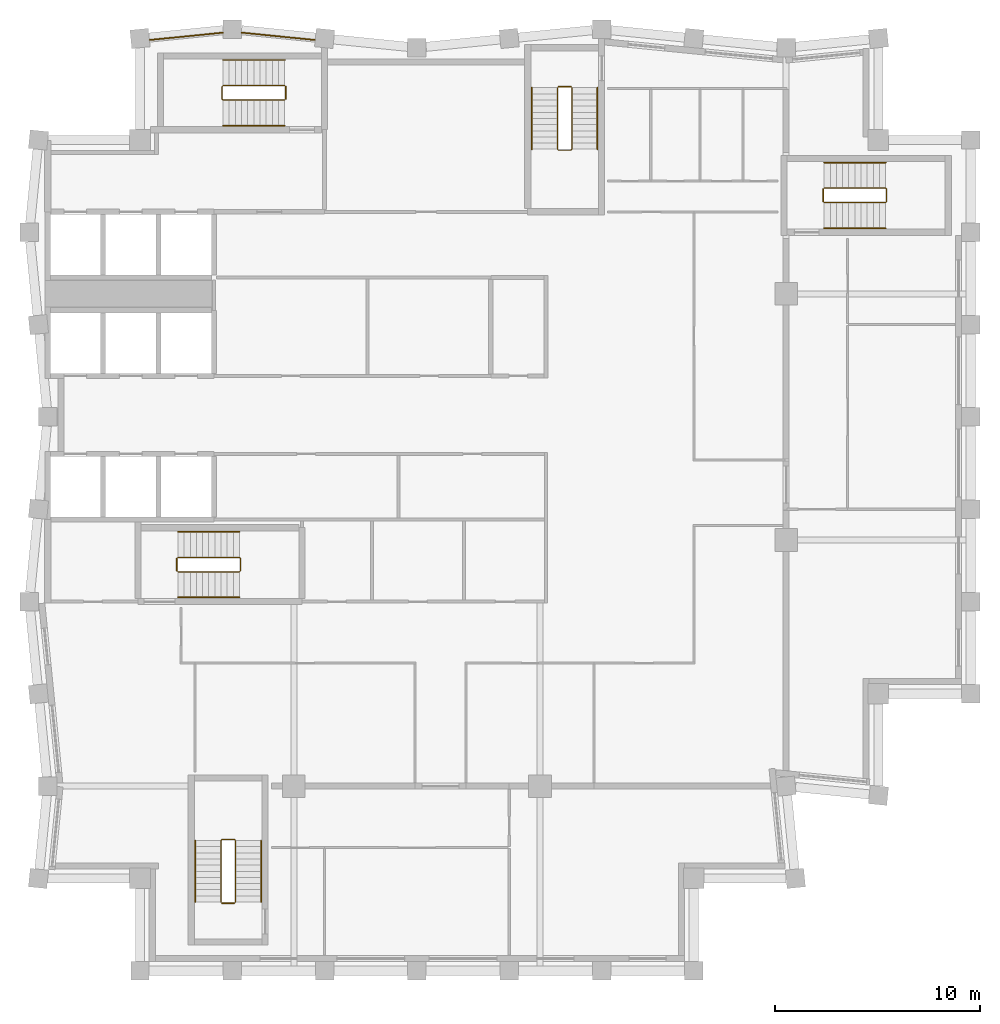
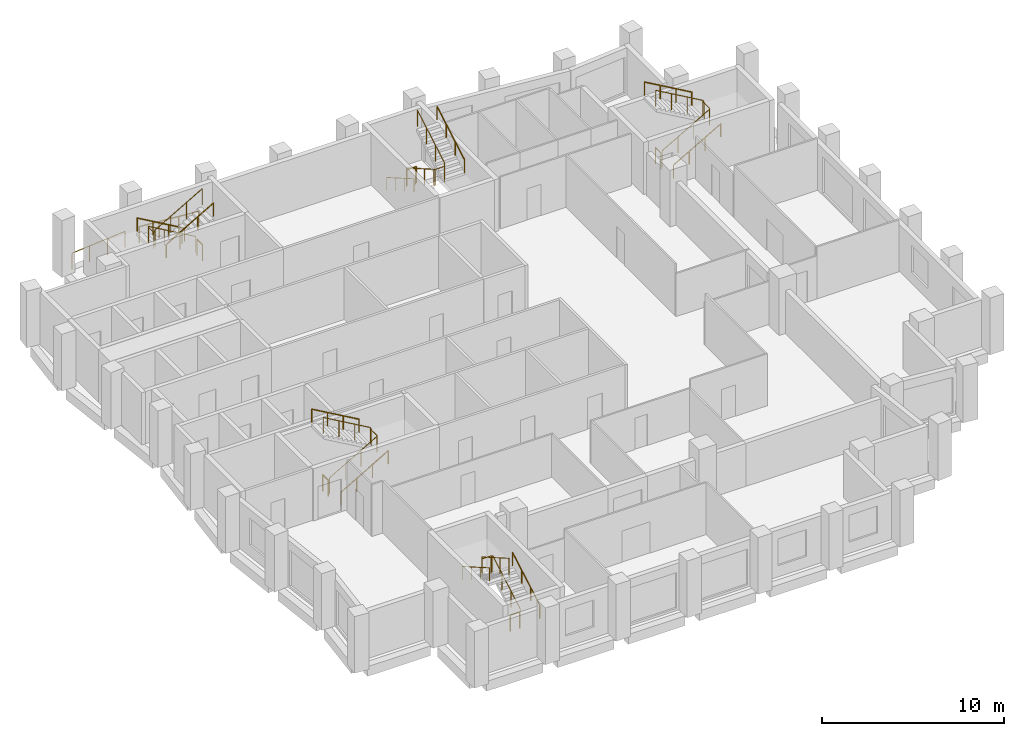
# One storey, part 7 of 7: 22 railings.
"""IFC4 building model written with IfcOpenShell, lengths in metres."""

import ifcopenshell
import ifcopenshell.guid

model = None  # the IFC model being written
_history = None  # IfcOwnerHistory: only IFC2X3 demands one
_inside = {}  # id of a spatial element -> (the spatial element, [elements in it])
_under = {}  # id of a project, library or spatial element -> (it, [spatial elements below it])
_declared = {}  # id of a project -> (the project, [libraries it declares])
_typed = {}  # id of a type object -> (the type object, [elements of that type])
_made_of = {}  # id of a material, layer set ... -> (it, [elements and type objects made of it])


def new_model(schema):
    """Start an empty IFC model of exactly this schema.

    Asked for "IFC4X3", IfcOpenShell would pick the latest addendum, in which some entities
    have other attributes; the version numbers below select the first issue.
    IFC2X3 requires an IfcOwnerHistory on every rooted entity: one is made here for all.
    """
    global model, _history
    if schema == "IFC4X3":
        model = ifcopenshell.file(schema_version=(4, 3, 0, 0))
    else:
        model = ifcopenshell.file(schema=schema)
    _inside.clear()
    _under.clear()
    _declared.clear()
    _typed.clear()
    _made_of.clear()
    _history = None
    if model.schema == "IFC2X3":
        org = make("IfcOrganization", Name="unknown")
        user = make(
            "IfcPersonAndOrganization",
            ThePerson=make("IfcPerson", FamilyName="unknown"),
            TheOrganization=org,
        )
        app = make(
            "IfcApplication",
            ApplicationDeveloper=org,
            Version="unknown",
            ApplicationFullName="unknown",
            ApplicationIdentifier="unknown",
        )
        _history = make(
            "IfcOwnerHistory",
            OwningUser=user,
            OwningApplication=app,
            ChangeAction="ADDED",
            CreationDate=0,
        )
    return model


def make(cls, **values):
    """One entity of the class cls with the attributes given. An attribute that is None is left unset."""
    return model.create_entity(
        cls, **{name: value for name, value in values.items() if value is not None}
    )


def rooted(cls, **values):
    """An entity with a GlobalId (a new one), such as an element, a storey or a relation."""
    return make(cls, GlobalId=ifcopenshell.guid.new(), OwnerHistory=_history, **values)


def si_unit(unit_type, name, prefix=None):
    """IfcSIUnit, for example si_unit("LENGTHUNIT", "METRE", prefix="MILLI")."""
    return make("IfcSIUnit", UnitType=unit_type, Prefix=prefix, Name=name)


def assignment(units):
    """IfcUnitAssignment: the units of a project."""
    return None if units is None else make("IfcUnitAssignment", Units=units)


def point(xyz):
    """IfcCartesianPoint."""
    return None if xyz is None else make("IfcCartesianPoint", Coordinates=xyz)


def direction(xyz):
    """IfcDirection."""
    return None if xyz is None else make("IfcDirection", DirectionRatios=xyz)


def frame(location, z_axis=None, x_axis=None):
    """IfcAxis2Placement3D, a coordinate frame: its origin and axes. An axis left out is left unset."""
    return make(
        "IfcAxis2Placement3D",
        Location=point(location),
        Axis=direction(z_axis),
        RefDirection=direction(x_axis),
    )


def frame_2d(location, x_axis=None):
    """IfcAxis2Placement2D, a coordinate frame in the plane: its origin and x axis."""
    return make(
        "IfcAxis2Placement2D", Location=point(location), RefDirection=direction(x_axis)
    )


def origin():
    """The frame at (0, 0, 0) with its axes left unset."""
    return frame((0.0, 0.0, 0.0))


def origin_2d():
    """The frame at (0, 0) in the plane with its x axis left unset."""
    return frame_2d((0.0, 0.0))


def place(relative_to, where):
    """IfcLocalPlacement: puts the frame where relative to a parent placement (None: the world)."""
    return make(
        "IfcLocalPlacement", PlacementRelTo=relative_to, RelativePlacement=where
    )


def context(
    kind, dimensions, precision=None, world=None, true_north=None, identifier=None
):
    """IfcGeometricRepresentationContext, for example the 3D "Model" context."""
    return make(
        "IfcGeometricRepresentationContext",
        ContextIdentifier=identifier,
        ContextType=kind,
        CoordinateSpaceDimension=dimensions,
        Precision=precision,
        WorldCoordinateSystem=world,
        TrueNorth=true_north,
    )


def subcontext(parent, identifier, kind, view, scale=None):
    """IfcGeometricRepresentationSubContext, for example "Body" below "Model"."""
    return make(
        "IfcGeometricRepresentationSubContext",
        ContextIdentifier=identifier,
        ContextType=kind,
        ParentContext=parent,
        TargetScale=scale,
        TargetView=view,
    )


def project(units=None, contexts=None):
    """IfcProject with its units and contexts."""
    return rooted(
        "IfcProject",
        Name="project",
        RepresentationContexts=contexts,
        UnitsInContext=assignment(units),
    )


def spatial(cls, under=None, at=None, **own):
    """A site, building, storey or space (cls), placed at a placement, below another one or the project."""
    s = rooted(cls, ObjectPlacement=at, **own)
    if under is not None:
        _under.setdefault(under.id(), (under, []))[1].append(s)
    return s


def profile(cls, at=None, kind="AREA", **sizes):
    """A parametric profile (cls). Its sizes go by their IFC names, for example OverallWidth=200.0."""
    return make(cls, ProfileType=kind, Position=at, **sizes)


def circle(**sizes):
    """IfcCircleProfileDef."""
    return profile("IfcCircleProfileDef", **sizes)


def extrude(swept, where, along, depth):
    """IfcExtrudedAreaSolid: the profile swept, set in the frame where, extruded along a direction by depth."""
    return make(
        "IfcExtrudedAreaSolid",
        SweptArea=swept,
        Position=where,
        ExtrudedDirection=direction(along),
        Depth=depth,
    )


def shape(context_of_items, identifier, shape_type, items):
    """IfcShapeRepresentation: the items that make up one representation, for example the "Body"."""
    return make(
        "IfcShapeRepresentation",
        ContextOfItems=context_of_items,
        RepresentationIdentifier=identifier,
        RepresentationType=shape_type,
        Items=items,
    )


def material(Name=None, Category=None):
    """IfcMaterial."""
    return make("IfcMaterial", Name=Name, Category=Category)


def made_of(thing, what):
    """Note that an element or type object is made of a material, layer set ...; save() writes the relation."""
    if what is not None:
        _made_of.setdefault(what.id(), (what, []))[1].append(thing)
    return thing


def type_object(cls, material=None, **own):
    """A type object (cls), such as IfcWallType, which elements share."""
    return made_of(rooted(cls, **own), material)


def element(
    cls,
    number,
    at=None,
    inside=None,
    cuts=None,
    type_object=None,
    material=None,
    context=None,
    identifier="Body",
    shape_type=None,
    held_by="IfcProductDefinitionShape",
    body=None,
    shapes=None,
    **own,
):
    """One element of the class cls, such as IfcWall. Its Tag is "e" and its number.

    at: its placement. inside: the storey or other place that contains it. cuts: it is an
    opening in that element (IfcRelVoidsElement). A single representation is given by context,
    identifier, shape_type and body (its items); several are given by shapes. held_by: the class
    of the entity that holds the representations. save() writes the other relations.
    """
    e = rooted(cls, Tag="e%d" % number, ObjectPlacement=at, **own)
    if body is not None:
        shapes = [shape(context, identifier, shape_type, body)]
    if shapes is not None:
        e.Representation = make(held_by, Representations=shapes)
    if inside is not None:
        _inside.setdefault(inside.id(), (inside, []))[1].append(e)
    if cuts is not None:
        rooted(
            "IfcRelVoidsElement", RelatingBuildingElement=cuts, RelatedOpeningElement=e
        )
    if type_object is not None:
        _typed.setdefault(type_object.id(), (type_object, []))[1].append(e)
    return made_of(e, material)


def aggregate(whole, parts):
    """IfcRelAggregates: a whole, such as a stair, and the parts it consists of."""
    return rooted("IfcRelAggregates", RelatingObject=whole, RelatedObjects=parts)


def save(model, path):
    """Write the relations noted so far, then the file.

    IfcRelAggregates (storeys below a building ...), IfcRelContainedInSpatialStructure (elements
    in a storey), IfcRelDefinesByType, IfcRelAssociatesMaterial and IfcRelDeclares: one each for
    every whole, place, type object, material and project.
    """
    for whole, parts in _under.values():
        aggregate(whole, parts)
    for where, things in _inside.values():
        rooted(
            "IfcRelContainedInSpatialStructure",
            RelatedElements=things,
            RelatingStructure=where,
        )
    for kind, things in _typed.values():
        rooted("IfcRelDefinesByType", RelatedObjects=things, RelatingType=kind)
    for what, things in _made_of.values():
        rooted("IfcRelAssociatesMaterial", RelatedObjects=things, RelatingMaterial=what)
    for by, libraries in _declared.values():
        rooted("IfcRelDeclares", RelatingContext=by, RelatedDefinitions=libraries)
    model.write(path)


model = new_model("IFC4")

# Units and contexts
model_context = context("Model", 3, precision=1e-05, world=origin(), true_north=direction((0.0, 1.0)))
body_context = subcontext(model_context, "Body", "Model", "MODEL_VIEW")
ifc_project = project(units=[si_unit("LENGTHUNIT", "METRE"), si_unit("AREAUNIT", "SQUARE_METRE"), si_unit("VOLUMEUNIT", "CUBIC_METRE"), si_unit("PLANEANGLEUNIT", "RADIAN"), si_unit("MASSUNIT", "GRAM", prefix="KILO")], contexts=[model_context])

# Site, building, storey
site_placement = place(None, origin())
site = spatial("IfcSite", under=ifc_project, at=site_placement, CompositionType="ELEMENT")
building_placement = place(site_placement, origin())
building = spatial("IfcBuilding", under=site, at=building_placement, Name="Brondeck Convention Tower", CompositionType="ELEMENT")
storey_placement = place(building_placement, frame((0.0, 0.0, 263.800048828125)))
storey = spatial("IfcBuildingStorey", under=building, at=storey_placement, Name="L65", CompositionType="ELEMENT", Elevation=263.800048828125)

# Railings
ifc_material_1 = material(Name="Steel S355, bronze painted", Category="steel")
railing_type_1 = type_object("IfcRailingType", Name="Guard, bronze steel rail and posts", PredefinedType="GUARDRAIL", material=ifc_material_1)
railing_1_placement = place(storey_placement, frame((4.9794921875, 63.37744140625, 0.0)))
element("IfcRailing", 1, at=railing_1_placement, inside=storey, type_object=railing_type_1, Name="ENV-RL-L65-REAR1", PredefinedType="GUARDRAIL", context=body_context, shape_type="SweptSolid", body=[
    extrude(circle(Radius=0.02490234375, at=origin_2d()), frame((0.0, 0.0, 1.0751953125), z_axis=(0.995037864926, 0.099496971632, 0.0), x_axis=(-0.099496971632, 0.995037864926, 0.0)), (0.0, 0.0, 1.0), 3.58251953125),
    extrude(circle(Radius=0.02490234375, at=origin_2d()), origin(), (0.0, 0.0, 1.0), 1.050048828125),
    extrude(circle(Radius=0.02490234375, at=origin_2d()), frame((1.188232421875, 0.118896484375, 0.0)), (0.0, 0.0, 1.0), 1.050048828125),
    extrude(circle(Radius=0.02490234375, at=origin_2d()), frame((2.37646484375, 0.237548828125, 0.0)), (0.0, 0.0, 1.0), 1.050048828125),
    extrude(circle(Radius=0.02490234375, at=origin_2d()), frame((3.564697265625, 0.3564453125, 0.0)), (0.0, 0.0, 1.0), 1.050048828125),
])
railing_2_placement = place(storey_placement, frame((9.455810546875, 63.73388671875, 0.0)))
element("IfcRailing", 2, at=railing_2_placement, inside=storey, type_object=railing_type_1, Name="ENV-RL-L65-REAR2", PredefinedType="GUARDRAIL", context=body_context, shape_type="SweptSolid", body=[
    extrude(circle(Radius=0.02490234375, at=origin_2d()), frame((0.0, 0.0, 1.0751953125), z_axis=(0.995037864926, -0.099496971632, 0.0), x_axis=(0.099496971632, 0.995037864926, 0.0)), (0.0, 0.0, 1.0), 3.58251953125),
    extrude(circle(Radius=0.02490234375, at=origin_2d()), origin(), (0.0, 0.0, 1.0), 1.050048828125),
    extrude(circle(Radius=0.02490234375, at=origin_2d()), frame((1.188232421875, -0.118896484375, 0.0)), (0.0, 0.0, 1.0), 1.050048828125),
    extrude(circle(Radius=0.02490234375, at=origin_2d()), frame((2.37646484375, -0.237548828125, 0.0)), (0.0, 0.0, 1.0), 1.050048828125),
    extrude(circle(Radius=0.02490234375, at=origin_2d()), frame((3.564697265625, -0.3564453125, 0.0)), (0.0, 0.0, 1.0), 1.050048828125),
])
ifc_material_2 = material(Name="Steel S355", Category="steel")
railing_type_2 = type_object("IfcRailingType", Name="Stair guard 1100", PredefinedType="GUARDRAIL", material=ifc_material_2)
railing_3_placement = place(storey_placement, frame((6.35009765625, 37.449951171875, 0.172607421875)))
element("IfcRailing", 3, at=railing_3_placement, inside=storey, type_object=railing_type_2, Name="L65 ST-1 stair guard 1", PredefinedType="GUARDRAIL", context=body_context, shape_type="SweptSolid", body=[
    extrude(circle(Radius=0.02392578125, at=origin_2d()), frame((0.0, 0.0, 1.076171875), z_axis=(0.866619684472, 0.0, 0.498969260062), x_axis=(0.0, 1.0, 0.0)), (0.0, 0.0, 1.0), 3.461669921875),
    extrude(circle(Radius=0.02392578125, at=origin_2d()), frame((3.0, 0.0, 2.80322265625), z_axis=(0.705375805398, 0.708833529934, 0.0), x_axis=(-0.708833529934, 0.705375805398, 0.0)), (0.0, 0.0, 1.0), 0.070556640625),
    extrude(circle(Radius=0.02392578125, at=origin_2d()), frame((3.0498046875, 0.050048828125, 2.80322265625), z_axis=(0.0, 1.0, 0.0), x_axis=(-1.0, 0.0, 0.0)), (0.0, 0.0, 1.0), 0.60009765625),
    extrude(circle(Radius=0.02392578125, at=origin_2d()), frame((3.0498046875, 0.650146484375, 2.80322265625), z_axis=(-0.266832911964, 0.266832911964, 0.926067165051), x_axis=(-0.707106781187, -0.707106781187, 0.0)), (0.0, 0.0, 1.0), 0.186767578125),
    extrude(circle(Radius=0.02392578125, at=origin_2d()), frame((3.0, 0.699951171875, 2.97607421875), z_axis=(-0.866619684472, 0.0, 0.498969260062), x_axis=(0.0, -1.0, 0.0)), (0.0, 0.0, 1.0), 3.461669921875),
    extrude(circle(Radius=0.02099609375, at=origin_2d()), origin(), (0.0, 0.0, 1.0), 1.052001953125),
    extrude(circle(Radius=0.02099609375, at=origin_2d()), frame((1.0, 0.0, 0.57568359375)), (0.0, 0.0, 1.0), 1.052001953125),
    extrude(circle(Radius=0.02099609375, at=origin_2d()), frame((2.0, 0.0, 1.151611328125)), (0.0, 0.0, 1.0), 1.052001953125),
    extrude(circle(Radius=0.02099609375, at=origin_2d()), frame((3.0, 0.0, 1.727294921875)), (0.0, 0.0, 1.0), 1.052001953125),
    extrude(circle(Radius=0.02099609375, at=origin_2d()), frame((3.0498046875, 0.050048828125, 1.727294921875)), (0.0, 0.0, 1.0), 1.052001953125),
    extrude(circle(Radius=0.02099609375, at=origin_2d()), frame((3.0498046875, 0.650146484375, 1.727294921875)), (0.0, 0.0, 1.0), 1.052001953125),
    extrude(circle(Radius=0.02099609375, at=origin_2d()), frame((3.0, 0.699951171875, 1.900146484375)), (0.0, 0.0, 1.0), 1.052001953125),
    extrude(circle(Radius=0.02099609375, at=origin_2d()), frame((2.0, 0.699951171875, 2.475830078125)), (0.0, 0.0, 1.0), 1.052001953125),
    extrude(circle(Radius=0.02099609375, at=origin_2d()), frame((1.0, 0.699951171875, 3.0517578125)), (0.0, 0.0, 1.0), 1.052001953125),
    extrude(circle(Radius=0.02099609375, at=origin_2d()), frame((0.0, 0.699951171875, 3.62744140625)), (0.0, 0.0, 1.0), 1.052001953125),
])
railing_4_placement = place(storey_placement, frame((6.300048828125, 37.5, 0.0)))
element("IfcRailing", 4, at=railing_4_placement, inside=storey, type_object=railing_type_2, Name="L65 ST-1 stair guard 2", PredefinedType="GUARDRAIL", context=body_context, shape_type="SweptSolid", body=[
    extrude(circle(Radius=0.02392578125, at=origin_2d()), frame((0.0, 0.0, 1.076171875), z_axis=(0.0, 1.0, 0.0), x_axis=(-1.0, 0.0, 0.0)), (0.0, 0.0, 1.0), 0.60009765625),
    extrude(circle(Radius=0.02099609375, at=origin_2d()), origin(), (0.0, 0.0, 1.0), 1.052001953125),
    extrude(circle(Radius=0.02099609375, at=origin_2d()), frame((0.0, 0.60009765625, 0.0)), (0.0, 0.0, 1.0), 1.052001953125),
])
railing_5_placement = place(storey_placement, frame((24.85009765625, 61.050048828125, 0.172607421875)))
element("IfcRailing", 5, at=railing_5_placement, inside=storey, type_object=railing_type_2, Name="L65 ST-2 stair guard 1", PredefinedType="GUARDRAIL", context=body_context, shape_type="SweptSolid", body=[
    extrude(circle(Radius=0.02392578125, at=origin_2d()), frame((0.0, 0.0, 1.076171875), z_axis=(0.0, -0.866619684472, 0.498969260062), x_axis=(1.0, 0.0, 0.0)), (0.0, 0.0, 1.0), 3.461669921875),
    extrude(circle(Radius=0.02392578125, at=origin_2d()), frame((0.0, -3.0, 2.80322265625), z_axis=(0.705375805398, -0.708833529934, 0.0), x_axis=(0.708833529934, 0.705375805398, 0.0)), (0.0, 0.0, 1.0), 0.070556640625),
    extrude(circle(Radius=0.02392578125, at=origin_2d()), frame((0.0498046875, -3.050048828125, 2.80322265625), z_axis=(1.0, 0.0, 0.0), x_axis=(0.0, 1.0, 0.0)), (0.0, 0.0, 1.0), 0.60009765625),
    extrude(circle(Radius=0.02392578125, at=origin_2d()), frame((0.64990234375, -3.050048828125, 2.80322265625), z_axis=(0.267953482034, 0.267953482034, 0.925419830635), x_axis=(-0.707106781187, 0.707106781187, 0.0)), (0.0, 0.0, 1.0), 0.186767578125),
    extrude(circle(Radius=0.02392578125, at=origin_2d()), frame((0.699951171875, -3.0, 2.97607421875), z_axis=(0.0, 0.866619684472, 0.498969260062), x_axis=(-1.0, 0.0, 0.0)), (0.0, 0.0, 1.0), 3.461669921875),
    extrude(circle(Radius=0.02099609375, at=origin_2d()), origin(), (0.0, 0.0, 1.0), 1.052001953125),
    extrude(circle(Radius=0.02099609375, at=origin_2d()), frame((0.0, -1.0, 0.57568359375)), (0.0, 0.0, 1.0), 1.052001953125),
    extrude(circle(Radius=0.02099609375, at=origin_2d()), frame((0.0, -2.0, 1.151611328125)), (0.0, 0.0, 1.0), 1.052001953125),
    extrude(circle(Radius=0.02099609375, at=origin_2d()), frame((0.0, -3.0, 1.727294921875)), (0.0, 0.0, 1.0), 1.052001953125),
    extrude(circle(Radius=0.02099609375, at=origin_2d()), frame((0.0498046875, -3.050048828125, 1.727294921875)), (0.0, 0.0, 1.0), 1.052001953125),
    extrude(circle(Radius=0.02099609375, at=origin_2d()), frame((0.64990234375, -3.050048828125, 1.727294921875)), (0.0, 0.0, 1.0), 1.052001953125),
    extrude(circle(Radius=0.02099609375, at=origin_2d()), frame((0.699951171875, -3.0, 1.900146484375)), (0.0, 0.0, 1.0), 1.052001953125),
    extrude(circle(Radius=0.02099609375, at=origin_2d()), frame((0.699951171875, -2.0, 2.475830078125)), (0.0, 0.0, 1.0), 1.052001953125),
    extrude(circle(Radius=0.02099609375, at=origin_2d()), frame((0.699951171875, -1.0, 3.0517578125)), (0.0, 0.0, 1.0), 1.052001953125),
    extrude(circle(Radius=0.02099609375, at=origin_2d()), frame((0.699951171875, 0.0, 3.62744140625)), (0.0, 0.0, 1.0), 1.052001953125),
])
railing_6_placement = place(storey_placement, frame((24.89990234375, 61.10009765625, 0.0)))
element("IfcRailing", 6, at=railing_6_placement, inside=storey, type_object=railing_type_2, Name="L65 ST-2 stair guard 2", PredefinedType="GUARDRAIL", context=body_context, shape_type="SweptSolid", body=[
    extrude(circle(Radius=0.02392578125, at=origin_2d()), frame((0.0, 0.0, 1.076171875), z_axis=(1.0, 0.0, 0.0), x_axis=(0.0, 1.0, 0.0)), (0.0, 0.0, 1.0), 0.60009765625),
    extrude(circle(Radius=0.02099609375, at=origin_2d()), origin(), (0.0, 0.0, 1.0), 1.052001953125),
    extrude(circle(Radius=0.02099609375, at=origin_2d()), frame((0.60009765625, 0.0, 0.0)), (0.0, 0.0, 1.0), 1.052001953125),
])
railing_7_placement = place(storey_placement, frame((11.550048828125, 61.14990234375, 0.172607421875)))
element("IfcRailing", 7, at=railing_7_placement, inside=storey, type_object=railing_type_2, Name="L65 ST-3 stair guard 1", PredefinedType="GUARDRAIL", context=body_context, shape_type="SweptSolid", body=[
    extrude(circle(Radius=0.02392578125, at=origin_2d()), frame((0.0, 0.0, 1.076171875), z_axis=(-0.866619684472, 0.0, 0.498969260062), x_axis=(0.0, -1.0, 0.0)), (0.0, 0.0, 1.0), 3.461669921875),
    extrude(circle(Radius=0.02392578125, at=origin_2d()), frame((-3.0, 0.0, 2.80322265625), z_axis=(-0.708833529934, -0.705375805398, 0.0), x_axis=(0.705375805398, -0.708833529934, 0.0)), (0.0, 0.0, 1.0), 0.070556640625),
    extrude(circle(Radius=0.02392578125, at=origin_2d()), frame((-3.050048828125, -0.0498046875, 2.80322265625), z_axis=(0.0, -1.0, 0.0), x_axis=(1.0, 0.0, 0.0)), (0.0, 0.0, 1.0), 0.60009765625),
    extrude(circle(Radius=0.02392578125, at=origin_2d()), frame((-3.050048828125, -0.64990234375, 2.80322265625), z_axis=(0.267953482034, -0.267953482034, 0.925419830635), x_axis=(0.707106781187, 0.707106781187, 0.0)), (0.0, 0.0, 1.0), 0.186767578125),
    extrude(circle(Radius=0.02392578125, at=origin_2d()), frame((-3.0, -0.699951171875, 2.97607421875), z_axis=(0.866619684472, 0.0, 0.498969260062), x_axis=(0.0, 1.0, 0.0)), (0.0, 0.0, 1.0), 3.461669921875),
    extrude(circle(Radius=0.02099609375, at=origin_2d()), origin(), (0.0, 0.0, 1.0), 1.052001953125),
    extrude(circle(Radius=0.02099609375, at=origin_2d()), frame((-1.0, 0.0, 0.57568359375)), (0.0, 0.0, 1.0), 1.052001953125),
    extrude(circle(Radius=0.02099609375, at=origin_2d()), frame((-2.0, 0.0, 1.151611328125)), (0.0, 0.0, 1.0), 1.052001953125),
    extrude(circle(Radius=0.02099609375, at=origin_2d()), frame((-3.0, 0.0, 1.727294921875)), (0.0, 0.0, 1.0), 1.052001953125),
    extrude(circle(Radius=0.02099609375, at=origin_2d()), frame((-3.050048828125, -0.0498046875, 1.727294921875)), (0.0, 0.0, 1.0), 1.052001953125),
    extrude(circle(Radius=0.02099609375, at=origin_2d()), frame((-3.050048828125, -0.64990234375, 1.727294921875)), (0.0, 0.0, 1.0), 1.052001953125),
    extrude(circle(Radius=0.02099609375, at=origin_2d()), frame((-3.0, -0.699951171875, 1.900146484375)), (0.0, 0.0, 1.0), 1.052001953125),
    extrude(circle(Radius=0.02099609375, at=origin_2d()), frame((-2.0, -0.699951171875, 2.475830078125)), (0.0, 0.0, 1.0), 1.052001953125),
    extrude(circle(Radius=0.02099609375, at=origin_2d()), frame((-1.0, -0.699951171875, 3.0517578125)), (0.0, 0.0, 1.0), 1.052001953125),
    extrude(circle(Radius=0.02099609375, at=origin_2d()), frame((0.0, -0.699951171875, 3.62744140625)), (0.0, 0.0, 1.0), 1.052001953125),
])
railing_8_placement = place(storey_placement, frame((11.60009765625, 61.10009765625, 0.0)))
element("IfcRailing", 8, at=railing_8_placement, inside=storey, type_object=railing_type_2, Name="L65 ST-3 stair guard 2", PredefinedType="GUARDRAIL", context=body_context, shape_type="SweptSolid", body=[
    extrude(circle(Radius=0.02392578125, at=origin_2d()), frame((0.0, 0.0, 1.076171875), z_axis=(0.0, -1.0, 0.0), x_axis=(1.0, 0.0, 0.0)), (0.0, 0.0, 1.0), 0.60009765625),
    extrude(circle(Radius=0.02099609375, at=origin_2d()), origin(), (0.0, 0.0, 1.0), 1.052001953125),
    extrude(circle(Radius=0.02099609375, at=origin_2d()), frame((0.0, -0.60009765625, 0.0)), (0.0, 0.0, 1.0), 1.052001953125),
])
railing_9_placement = place(storey_placement, frame((37.85009765625, 55.449951171875, 0.172607421875)))
element("IfcRailing", 9, at=railing_9_placement, inside=storey, type_object=railing_type_2, Name="L65 ST-AE stair guard 1", PredefinedType="GUARDRAIL", context=body_context, shape_type="SweptSolid", body=[
    extrude(circle(Radius=0.02392578125, at=origin_2d()), frame((0.0, 0.0, 1.076171875), z_axis=(0.866619684472, 0.0, 0.498969260062), x_axis=(0.0, 1.0, 0.0)), (0.0, 0.0, 1.0), 3.461669921875),
    extrude(circle(Radius=0.02392578125, at=origin_2d()), frame((3.0, 0.0, 2.80322265625), z_axis=(0.705375805398, 0.708833529934, 0.0), x_axis=(-0.708833529934, 0.705375805398, 0.0)), (0.0, 0.0, 1.0), 0.070556640625),
    extrude(circle(Radius=0.02392578125, at=origin_2d()), frame((3.0498046875, 0.050048828125, 2.80322265625), z_axis=(0.0, 1.0, 0.0), x_axis=(-1.0, 0.0, 0.0)), (0.0, 0.0, 1.0), 0.60009765625),
    extrude(circle(Radius=0.02392578125, at=origin_2d()), frame((3.0498046875, 0.650146484375, 2.80322265625), z_axis=(-0.266832911964, 0.266832911964, 0.926067165051), x_axis=(-0.707106781187, -0.707106781187, 0.0)), (0.0, 0.0, 1.0), 0.186767578125),
    extrude(circle(Radius=0.02392578125, at=origin_2d()), frame((3.0, 0.699951171875, 2.97607421875), z_axis=(-0.866619684472, 0.0, 0.498969260062), x_axis=(0.0, -1.0, 0.0)), (0.0, 0.0, 1.0), 3.461669921875),
    extrude(circle(Radius=0.02099609375, at=origin_2d()), origin(), (0.0, 0.0, 1.0), 1.052001953125),
    extrude(circle(Radius=0.02099609375, at=origin_2d()), frame((1.0, 0.0, 0.57568359375)), (0.0, 0.0, 1.0), 1.052001953125),
    extrude(circle(Radius=0.02099609375, at=origin_2d()), frame((2.0, 0.0, 1.151611328125)), (0.0, 0.0, 1.0), 1.052001953125),
    extrude(circle(Radius=0.02099609375, at=origin_2d()), frame((3.0, 0.0, 1.727294921875)), (0.0, 0.0, 1.0), 1.052001953125),
    extrude(circle(Radius=0.02099609375, at=origin_2d()), frame((3.0498046875, 0.050048828125, 1.727294921875)), (0.0, 0.0, 1.0), 1.052001953125),
    extrude(circle(Radius=0.02099609375, at=origin_2d()), frame((3.0498046875, 0.650146484375, 1.727294921875)), (0.0, 0.0, 1.0), 1.052001953125),
    extrude(circle(Radius=0.02099609375, at=origin_2d()), frame((3.0, 0.699951171875, 1.900146484375)), (0.0, 0.0, 1.0), 1.052001953125),
    extrude(circle(Radius=0.02099609375, at=origin_2d()), frame((2.0, 0.699951171875, 2.475830078125)), (0.0, 0.0, 1.0), 1.052001953125),
    extrude(circle(Radius=0.02099609375, at=origin_2d()), frame((1.0, 0.699951171875, 3.0517578125)), (0.0, 0.0, 1.0), 1.052001953125),
    extrude(circle(Radius=0.02099609375, at=origin_2d()), frame((0.0, 0.699951171875, 3.62744140625)), (0.0, 0.0, 1.0), 1.052001953125),
])
railing_10_placement = place(storey_placement, frame((37.800048828125, 55.5, 0.0)))
element("IfcRailing", 10, at=railing_10_placement, inside=storey, type_object=railing_type_2, Name="L65 ST-AE stair guard 2", PredefinedType="GUARDRAIL", context=body_context, shape_type="SweptSolid", body=[
    extrude(circle(Radius=0.02392578125, at=origin_2d()), frame((0.0, 0.0, 1.076171875), z_axis=(0.0, 1.0, 0.0), x_axis=(-1.0, 0.0, 0.0)), (0.0, 0.0, 1.0), 0.60009765625),
    extrude(circle(Radius=0.02099609375, at=origin_2d()), origin(), (0.0, 0.0, 1.0), 1.052001953125),
    extrude(circle(Radius=0.02099609375, at=origin_2d()), frame((0.0, 0.60009765625, 0.0)), (0.0, 0.0, 1.0), 1.052001953125),
])
railing_11_placement = place(storey_placement, frame((9.14990234375, 21.35009765625, 0.172607421875)))
element("IfcRailing", 11, at=railing_11_placement, inside=storey, type_object=railing_type_2, Name="L65 ST-BE stair guard 1", PredefinedType="GUARDRAIL", context=body_context, shape_type="SweptSolid", body=[
    extrude(circle(Radius=0.02392578125, at=origin_2d()), frame((0.0, 0.0, 1.076171875), z_axis=(0.0, 0.866619684472, 0.498969260062), x_axis=(-1.0, 0.0, 0.0)), (0.0, 0.0, 1.0), 3.461669921875),
    extrude(circle(Radius=0.02392578125, at=origin_2d()), frame((0.0, 3.0, 2.80322265625), z_axis=(-0.707106781187, 0.707106781187, 0.0), x_axis=(-0.707106781187, -0.707106781187, 0.0)), (0.0, 0.0, 1.0), 0.0703125),
    extrude(circle(Radius=0.02392578125, at=origin_2d()), frame((-0.0498046875, 3.0498046875, 2.80322265625), z_axis=(-1.0, 0.0, 0.0), x_axis=(0.0, -1.0, 0.0)), (0.0, 0.0, 1.0), 0.60009765625),
    extrude(circle(Radius=0.02392578125, at=origin_2d()), frame((-0.64990234375, 3.0498046875, 2.80322265625), z_axis=(-0.268047150085, -0.266739603011, 0.925743328097), x_axis=(0.705375805398, -0.708833529934, 0.0)), (0.0, 0.0, 1.0), 0.186767578125),
    extrude(circle(Radius=0.02392578125, at=origin_2d()), frame((-0.699951171875, 3.0, 2.97607421875), z_axis=(0.0, -0.866619684472, 0.498969260062), x_axis=(1.0, 0.0, 0.0)), (0.0, 0.0, 1.0), 3.461669921875),
    extrude(circle(Radius=0.02099609375, at=origin_2d()), origin(), (0.0, 0.0, 1.0), 1.052001953125),
    extrude(circle(Radius=0.02099609375, at=origin_2d()), frame((0.0, 1.0, 0.57568359375)), (0.0, 0.0, 1.0), 1.052001953125),
    extrude(circle(Radius=0.02099609375, at=origin_2d()), frame((0.0, 2.0, 1.151611328125)), (0.0, 0.0, 1.0), 1.052001953125),
    extrude(circle(Radius=0.02099609375, at=origin_2d()), frame((0.0, 3.0, 1.727294921875)), (0.0, 0.0, 1.0), 1.052001953125),
    extrude(circle(Radius=0.02099609375, at=origin_2d()), frame((-0.0498046875, 3.0498046875, 1.727294921875)), (0.0, 0.0, 1.0), 1.052001953125),
    extrude(circle(Radius=0.02099609375, at=origin_2d()), frame((-0.64990234375, 3.0498046875, 1.727294921875)), (0.0, 0.0, 1.0), 1.052001953125),
    extrude(circle(Radius=0.02099609375, at=origin_2d()), frame((-0.699951171875, 3.0, 1.900146484375)), (0.0, 0.0, 1.0), 1.052001953125),
    extrude(circle(Radius=0.02099609375, at=origin_2d()), frame((-0.699951171875, 2.0, 2.475830078125)), (0.0, 0.0, 1.0), 1.052001953125),
    extrude(circle(Radius=0.02099609375, at=origin_2d()), frame((-0.699951171875, 1.0, 3.0517578125)), (0.0, 0.0, 1.0), 1.052001953125),
    extrude(circle(Radius=0.02099609375, at=origin_2d()), frame((-0.699951171875, 0.0, 3.62744140625)), (0.0, 0.0, 1.0), 1.052001953125),
])
railing_12_placement = place(storey_placement, frame((9.10009765625, 21.300048828125, 0.0)))
element("IfcRailing", 12, at=railing_12_placement, inside=storey, type_object=railing_type_2, Name="L65 ST-BE stair guard 2", PredefinedType="GUARDRAIL", context=body_context, shape_type="SweptSolid", body=[
    extrude(circle(Radius=0.02392578125, at=origin_2d()), frame((0.0, 0.0, 1.076171875), z_axis=(-1.0, 0.0, 0.0), x_axis=(0.0, -1.0, 0.0)), (0.0, 0.0, 1.0), 0.60009765625),
    extrude(circle(Radius=0.02099609375, at=origin_2d()), origin(), (0.0, 0.0, 1.0), 1.052001953125),
    extrude(circle(Radius=0.02099609375, at=origin_2d()), frame((-0.60009765625, 0.0, 0.0)), (0.0, 0.0, 1.0), 1.052001953125),
])
railing_type_3 = type_object("IfcRailingType", Name="Stair handrail", PredefinedType="HANDRAIL", material=ifc_material_2)
railing_13_placement = place(storey_placement, frame((6.35009765625, 36.199951171875, 0.172607421875)))
element("IfcRailing", 13, at=railing_13_placement, inside=storey, type_object=railing_type_3, Name="L65 ST-1 stair handrail 1", PredefinedType="HANDRAIL", context=body_context, shape_type="SweptSolid", body=[
    extrude(circle(Radius=0.02392578125, at=origin_2d()), frame((0.0, 0.0, 0.8759765625), z_axis=(0.866619684472, 0.0, 0.498969260062), x_axis=(0.0, 1.0, 0.0)), (0.0, 0.0, 1.0), 3.461669921875),
    extrude(circle(Radius=0.02099609375, at=origin_2d()), origin(), (0.0, 0.0, 1.0), 0.851806640625),
    extrude(circle(Radius=0.02099609375, at=origin_2d()), frame((1.0, 0.0, 0.57568359375)), (0.0, 0.0, 1.0), 0.851806640625),
    extrude(circle(Radius=0.02099609375, at=origin_2d()), frame((2.0, 0.0, 1.151611328125)), (0.0, 0.0, 1.0), 0.851806640625),
    extrude(circle(Radius=0.02099609375, at=origin_2d()), frame((3.0, 0.0, 1.727294921875)), (0.0, 0.0, 1.0), 0.851806640625),
])
railing_14_placement = place(storey_placement, frame((9.35009765625, 39.39990234375, 2.07275390625)))
element("IfcRailing", 14, at=railing_14_placement, inside=storey, type_object=railing_type_3, Name="L65 ST-1 stair handrail 2", PredefinedType="HANDRAIL", context=body_context, shape_type="SweptSolid", body=[
    extrude(circle(Radius=0.02392578125, at=origin_2d()), frame((0.0, 0.0, 0.8759765625), z_axis=(-0.866619684472, 0.0, 0.498969260062), x_axis=(0.0, -1.0, 0.0)), (0.0, 0.0, 1.0), 3.461669921875),
    extrude(circle(Radius=0.02099609375, at=origin_2d()), origin(), (0.0, 0.0, 1.0), 0.851806640625),
    extrude(circle(Radius=0.02099609375, at=origin_2d()), frame((-1.0, 0.0, 0.57568359375)), (0.0, 0.0, 1.0), 0.851806640625),
    extrude(circle(Radius=0.02099609375, at=origin_2d()), frame((-2.0, 0.0, 1.151611328125)), (0.0, 0.0, 1.0), 0.851806640625),
    extrude(circle(Radius=0.02099609375, at=origin_2d()), frame((-3.0, 0.0, 1.727294921875)), (0.0, 0.0, 1.0), 0.851806640625),
])
railing_15_placement = place(storey_placement, frame((23.60009765625, 61.050048828125, 0.172607421875)))
element("IfcRailing", 15, at=railing_15_placement, inside=storey, type_object=railing_type_3, Name="L65 ST-2 stair handrail 1", PredefinedType="HANDRAIL", context=body_context, shape_type="SweptSolid", body=[
    extrude(circle(Radius=0.02392578125, at=origin_2d()), frame((0.0, 0.0, 0.8759765625), z_axis=(0.0, -0.866619684472, 0.498969260062), x_axis=(1.0, 0.0, 0.0)), (0.0, 0.0, 1.0), 3.461669921875),
    extrude(circle(Radius=0.02099609375, at=origin_2d()), origin(), (0.0, 0.0, 1.0), 0.851806640625),
    extrude(circle(Radius=0.02099609375, at=origin_2d()), frame((0.0, -1.0, 0.57568359375)), (0.0, 0.0, 1.0), 0.851806640625),
    extrude(circle(Radius=0.02099609375, at=origin_2d()), frame((0.0, -2.0, 1.151611328125)), (0.0, 0.0, 1.0), 0.851806640625),
    extrude(circle(Radius=0.02099609375, at=origin_2d()), frame((0.0, -3.0, 1.727294921875)), (0.0, 0.0, 1.0), 0.851806640625),
])
railing_16_placement = place(storey_placement, frame((26.800048828125, 58.050048828125, 2.07275390625)))
element("IfcRailing", 16, at=railing_16_placement, inside=storey, type_object=railing_type_3, Name="L65 ST-2 stair handrail 2", PredefinedType="HANDRAIL", context=body_context, shape_type="SweptSolid", body=[
    extrude(circle(Radius=0.02392578125, at=origin_2d()), frame((0.0, 0.0, 0.8759765625), z_axis=(0.0, 0.866619684472, 0.498969260062), x_axis=(-1.0, 0.0, 0.0)), (0.0, 0.0, 1.0), 3.461669921875),
    extrude(circle(Radius=0.02099609375, at=origin_2d()), origin(), (0.0, 0.0, 1.0), 0.851806640625),
    extrude(circle(Radius=0.02099609375, at=origin_2d()), frame((0.0, 1.0, 0.57568359375)), (0.0, 0.0, 1.0), 0.851806640625),
    extrude(circle(Radius=0.02099609375, at=origin_2d()), frame((0.0, 2.0, 1.151611328125)), (0.0, 0.0, 1.0), 0.851806640625),
    extrude(circle(Radius=0.02099609375, at=origin_2d()), frame((0.0, 3.0, 1.727294921875)), (0.0, 0.0, 1.0), 0.851806640625),
])
railing_17_placement = place(storey_placement, frame((11.550048828125, 62.39990234375, 0.172607421875)))
element("IfcRailing", 17, at=railing_17_placement, inside=storey, type_object=railing_type_3, Name="L65 ST-3 stair handrail 1", PredefinedType="HANDRAIL", context=body_context, shape_type="SweptSolid", body=[
    extrude(circle(Radius=0.02392578125, at=origin_2d()), frame((0.0, 0.0, 0.8759765625), z_axis=(-0.866619684472, 0.0, 0.498969260062), x_axis=(0.0, -1.0, 0.0)), (0.0, 0.0, 1.0), 3.461669921875),
    extrude(circle(Radius=0.02099609375, at=origin_2d()), origin(), (0.0, 0.0, 1.0), 0.851806640625),
    extrude(circle(Radius=0.02099609375, at=origin_2d()), frame((-1.0, 0.0, 0.57568359375)), (0.0, 0.0, 1.0), 0.851806640625),
    extrude(circle(Radius=0.02099609375, at=origin_2d()), frame((-2.0, 0.0, 1.151611328125)), (0.0, 0.0, 1.0), 0.851806640625),
    extrude(circle(Radius=0.02099609375, at=origin_2d()), frame((-3.0, 0.0, 1.727294921875)), (0.0, 0.0, 1.0), 0.851806640625),
])
for number, where, name in (
    (18, (8.550048828125, 59.199951171875, 2.07275390625), "L65 ST-3 stair handrail 2"),
    (19, (37.85009765625, 54.199951171875, 0.172607421875), "L65 ST-AE stair handrail 1"),
):
    element("IfcRailing", number, at=place(storey_placement, frame(where)), inside=storey, type_object=railing_type_3, Name=name, PredefinedType="HANDRAIL", context=body_context, shape_type="SweptSolid", body=[
        extrude(circle(Radius=0.02392578125, at=origin_2d()), frame((0.0, 0.0, 0.8759765625), z_axis=(0.866619684472, 0.0, 0.498969260062), x_axis=(0.0, 1.0, 0.0)), (0.0, 0.0, 1.0), 3.461669921875),
        extrude(circle(Radius=0.02099609375, at=origin_2d()), origin(), (0.0, 0.0, 1.0), 0.851806640625),
        extrude(circle(Radius=0.02099609375, at=origin_2d()), frame((1.0, 0.0, 0.57568359375)), (0.0, 0.0, 1.0), 0.851806640625),
        extrude(circle(Radius=0.02099609375, at=origin_2d()), frame((2.0, 0.0, 1.151611328125)), (0.0, 0.0, 1.0), 0.851806640625),
        extrude(circle(Radius=0.02099609375, at=origin_2d()), frame((3.0, 0.0, 1.727294921875)), (0.0, 0.0, 1.0), 0.851806640625),
    ])
railing_18_placement = place(storey_placement, frame((40.85009765625, 57.39990234375, 2.07275390625)))
element("IfcRailing", 20, at=railing_18_placement, inside=storey, type_object=railing_type_3, Name="L65 ST-AE stair handrail 2", PredefinedType="HANDRAIL", context=body_context, shape_type="SweptSolid", body=[
    extrude(circle(Radius=0.02392578125, at=origin_2d()), frame((0.0, 0.0, 0.8759765625), z_axis=(-0.866619684472, 0.0, 0.498969260062), x_axis=(0.0, -1.0, 0.0)), (0.0, 0.0, 1.0), 3.461669921875),
    extrude(circle(Radius=0.02099609375, at=origin_2d()), origin(), (0.0, 0.0, 1.0), 0.851806640625),
    extrude(circle(Radius=0.02099609375, at=origin_2d()), frame((-1.0, 0.0, 0.57568359375)), (0.0, 0.0, 1.0), 0.851806640625),
    extrude(circle(Radius=0.02099609375, at=origin_2d()), frame((-2.0, 0.0, 1.151611328125)), (0.0, 0.0, 1.0), 0.851806640625),
    extrude(circle(Radius=0.02099609375, at=origin_2d()), frame((-3.0, 0.0, 1.727294921875)), (0.0, 0.0, 1.0), 0.851806640625),
])
railing_19_placement = place(storey_placement, frame((10.39990234375, 21.35009765625, 0.172607421875)))
element("IfcRailing", 21, at=railing_19_placement, inside=storey, type_object=railing_type_3, Name="L65 ST-BE stair handrail 1", PredefinedType="HANDRAIL", context=body_context, shape_type="SweptSolid", body=[
    extrude(circle(Radius=0.02392578125, at=origin_2d()), frame((0.0, 0.0, 0.8759765625), z_axis=(0.0, 0.866619684472, 0.498969260062), x_axis=(-1.0, 0.0, 0.0)), (0.0, 0.0, 1.0), 3.461669921875),
    extrude(circle(Radius=0.02099609375, at=origin_2d()), origin(), (0.0, 0.0, 1.0), 0.851806640625),
    extrude(circle(Radius=0.02099609375, at=origin_2d()), frame((0.0, 1.0, 0.57568359375)), (0.0, 0.0, 1.0), 0.851806640625),
    extrude(circle(Radius=0.02099609375, at=origin_2d()), frame((0.0, 2.0, 1.151611328125)), (0.0, 0.0, 1.0), 0.851806640625),
    extrude(circle(Radius=0.02099609375, at=origin_2d()), frame((0.0, 3.0, 1.727294921875)), (0.0, 0.0, 1.0), 0.851806640625),
])
railing_20_placement = place(storey_placement, frame((7.199951171875, 24.35009765625, 2.07275390625)))
element("IfcRailing", 22, at=railing_20_placement, inside=storey, type_object=railing_type_3, Name="L65 ST-BE stair handrail 2", PredefinedType="HANDRAIL", context=body_context, shape_type="SweptSolid", body=[
    extrude(circle(Radius=0.02392578125, at=origin_2d()), frame((0.0, 0.0, 0.8759765625), z_axis=(0.0, -0.866619684472, 0.498969260062), x_axis=(1.0, 0.0, 0.0)), (0.0, 0.0, 1.0), 3.461669921875),
    extrude(circle(Radius=0.02099609375, at=origin_2d()), origin(), (0.0, 0.0, 1.0), 0.851806640625),
    extrude(circle(Radius=0.02099609375, at=origin_2d()), frame((0.0, -1.0, 0.57568359375)), (0.0, 0.0, 1.0), 0.851806640625),
    extrude(circle(Radius=0.02099609375, at=origin_2d()), frame((0.0, -2.0, 1.151611328125)), (0.0, 0.0, 1.0), 0.851806640625),
    extrude(circle(Radius=0.02099609375, at=origin_2d()), frame((0.0, -3.0, 1.727294921875)), (0.0, 0.0, 1.0), 0.851806640625),
])

save(model, "model.ifc")
